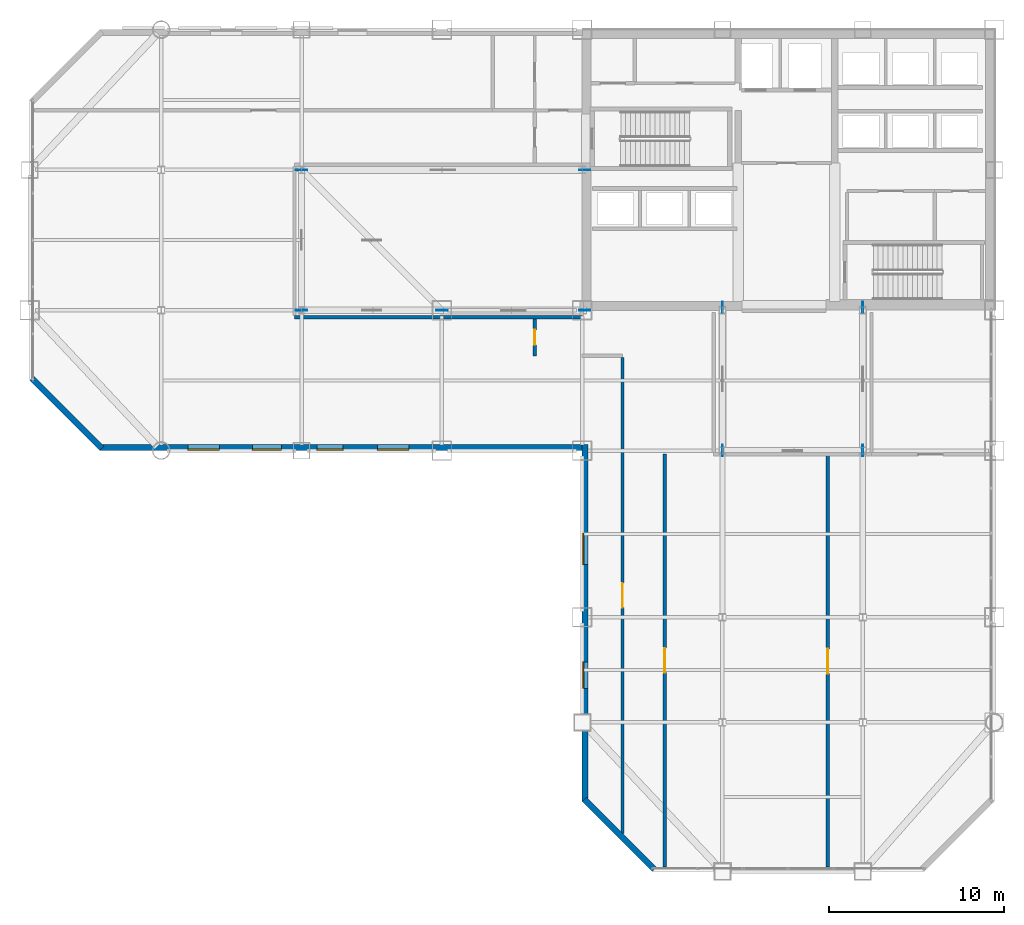
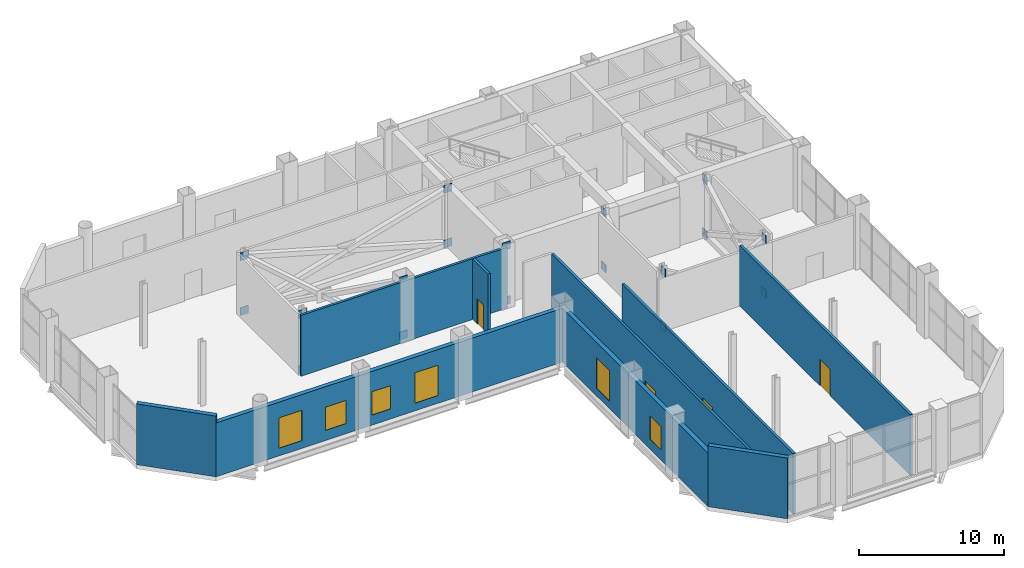
# One storey, part 20 of 24: 18 plates, 9 walls, 6 windows, 4 doors, 10 openings.
"""IFC4 building model written with IfcOpenShell, lengths in metres."""

from ifc_helpers import new_model, si_unit, direction, frame, frame_2d, origin, origin_2d, place, context, subcontext, project, spatial, rectangle, extrude, material, layer, layer_set, type_object, element, fill, save


model = new_model("IFC4")

# Units and contexts
model_context = context("Model", 3, precision=1e-05, world=origin(), true_north=direction((0.0, 1.0)))
body_context = subcontext(model_context, "Body", "Model", "MODEL_VIEW")
ifc_project = project(units=[si_unit("LENGTHUNIT", "METRE"), si_unit("AREAUNIT", "SQUARE_METRE"), si_unit("VOLUMEUNIT", "CUBIC_METRE"), si_unit("PLANEANGLEUNIT", "RADIAN"), si_unit("MASSUNIT", "GRAM", prefix="KILO")], contexts=[model_context])

# Site, building, storey
site_placement = place(None, origin())
site = spatial("IfcSite", under=ifc_project, at=site_placement, CompositionType="ELEMENT")
building_placement = place(site_placement, origin())
building = spatial("IfcBuilding", under=site, at=building_placement, Name="Qianrong Seaharbour Tower", CompositionType="ELEMENT")
storey_placement = place(building_placement, frame((0.0, 0.0, 195.0)))
storey = spatial("IfcBuildingStorey", under=building, at=storey_placement, Name="L47", CompositionType="ELEMENT", Elevation=195.0)

# Plates
ifc_material_1 = material(Name="Structural steel SN490B", Category="steel")
ifc_layer_1 = layer(ifc_material_1, 0.050048828125)
ifc_layer_set_1 = layer_set([ifc_layer_1], Name="Structural steel SN490B")
plate_type = type_object("IfcPlateType", Name="PLT-OUTRIGGER-GUSSET-50", PredefinedType="USERDEFINED", material=ifc_layer_set_1)
for number, where, z_axis, x_axis, name in (
    (1, (40.64990234375, 36.0, -0.074951171875), (0.0, 0.0, 1.0), (1.0, 0.0, 0.0), "L47 Brace End Gusset Node Plate GF-CB"),
    (2, (40.64990234375, 36.0, 4.525146484375), (0.0, 0.0, 1.0), (1.0, 0.0, 0.0), "L47 Brace End Gusset Node Plate GF-CT"),
    (3, (32.5, 36.0, -0.074951171875), (0.0, 0.0, 1.0), (1.0, 0.0, 0.0), "L47 Brace End Gusset Node Plate GF-OB"),
    (4, (32.5, 36.0, 4.525146484375), (0.0, 0.0, 1.0), (1.0, 0.0, 0.0), "L47 Brace End Gusset Node Plate GF-OT"),
    (5, (40.64990234375, 44.0, -0.074951171875), (0.0, 0.0, 1.0), (1.0, 0.0, 0.0), "L47 Brace End Gusset Node Plate GG-CB"),
    (6, (40.64990234375, 44.0, 4.525146484375), (0.0, 0.0, 1.0), (1.0, 0.0, 0.0), "L47 Brace End Gusset Node Plate GG-CT"),
    (7, (24.5, 44.0, -0.074951171875), (0.0, 0.0, 1.0), (1.0, 0.0, 0.0), "L47 Brace End Gusset Node Plate GG-OB"),
    (8, (24.5, 44.0, 4.525146484375), (0.0, 0.0, 1.0), (1.0, 0.0, 0.0), "L47 Brace End Gusset Node Plate GG-OT"),
):
    element("IfcPlate", number, at=place(storey_placement, frame(where, z_axis=z_axis, x_axis=x_axis)), inside=storey, type_object=plate_type, Name=name, ObjectType="GUSSET PLATE", PredefinedType="USERDEFINED", context=body_context, shape_type="SweptSolid", body=[
        extrude(rectangle(XDim=0.64990234375, YDim=0.050048828125, at=origin_2d()), origin(), (0.0, 0.0, 1.0), 0.64990234375),
    ])
for number, where, z_axis, x_axis, name in (
    (9, (48.5, 36.14990234375, -0.074951171875), (0.0, 0.0, 1.0), (1.0, 0.0, 0.0), "L47 Brace End Gusset Node Plate G7-CB"),
    (10, (48.5, 36.14990234375, 4.525146484375), (0.0, 0.0, 1.0), (1.0, 0.0, 0.0), "L47 Brace End Gusset Node Plate G7-CT"),
    (11, (48.5, 28.0, -0.074951171875), (0.0, 0.0, 1.0), (1.0, 0.0, 0.0), "L47 Brace End Gusset Node Plate G7-OB"),
    (12, (48.5, 28.0, 4.525146484375), (0.0, 0.0, 1.0), (1.0, 0.0, 0.0), "L47 Brace End Gusset Node Plate G7-OT"),
    (13, (56.5, 36.14990234375, -0.074951171875), (0.0, 0.0, 1.0), (1.0, 0.0, 0.0), "L47 Brace End Gusset Node Plate G8-CB"),
    (14, (56.5, 36.14990234375, 4.525146484375), (0.0, 0.0, 1.0), (1.0, 0.0, 0.0), "L47 Brace End Gusset Node Plate G8-CT"),
    (15, (56.5, 28.0, -0.074951171875), (0.0, 0.0, 1.0), (1.0, 0.0, 0.0), "L47 Brace End Gusset Node Plate G8-OB"),
    (16, (56.5, 28.0, 4.525146484375), (0.0, 0.0, 1.0), (1.0, 0.0, 0.0), "L47 Brace End Gusset Node Plate G8-OT"),
):
    element("IfcPlate", number, at=place(storey_placement, frame(where, z_axis=z_axis, x_axis=x_axis)), inside=storey, type_object=plate_type, Name=name, ObjectType="GUSSET PLATE", PredefinedType="USERDEFINED", context=body_context, shape_type="SweptSolid", body=[
        extrude(rectangle(XDim=0.050048828125, YDim=0.64990234375, at=origin_2d()), origin(), (0.0, 0.0, 1.0), 0.64990234375),
    ])
for number, where, z_axis, x_axis, name in (
    (17, (24.5, 36.0, -0.074951171875), (0.0, 0.0, 1.0), (1.0, 0.0, 0.0), "L47 Brace End Gusset Node Plate B1-A0"),
    (18, (24.5, 36.0, 4.525146484375), (0.0, 0.0, 1.0), (1.0, 0.0, 0.0), "L47 Brace End Gusset Node Plate B1-A1"),
):
    element("IfcPlate", number, at=place(storey_placement, frame(where, z_axis=z_axis, x_axis=x_axis)), inside=storey, type_object=plate_type, Name=name, ObjectType="GUSSET PLATE", PredefinedType="USERDEFINED", context=body_context, shape_type="SweptSolid", body=[
        extrude(rectangle(XDim=0.64990234375, YDim=0.050048828125, at=origin_2d()), origin(), (0.0, 0.0, 1.0), 0.64990234375),
    ])

# Wall, openings, windows
ifc_material_2 = material(Name="Unitised buff brick on Precast concrete C45/55", Category="masonry")
ifc_layer_2 = layer(ifc_material_2, 0.340087890625)
ifc_layer_set_2 = layer_set([ifc_layer_2], Name="Unitised buff brick on Precast concrete C45/55")
wall_type_1 = type_object("IfcWallType", Name="WALL-EXT-BRICK-BUFF-340", PredefinedType="SOLIDWALL", material=ifc_layer_set_2)
wall_1_placement = place(storey_placement, frame((40.669921875, 8.0, 0.0), z_axis=(0.0, 0.0, 1.0), x_axis=(0.0, 1.0, 0.0)))
wall_1 = element("IfcWall", 19, at=wall_1_placement, inside=storey, type_object=wall_type_1, Name="L47 Exterior Masonry Facade Wall REENTRANT_WEST", PredefinedType="SOLIDWALL", context=body_context, shape_type="SweptSolid", body=[
    extrude(rectangle(XDim=20.340087890625, YDim=0.340087890625, at=frame_2d((10.169921875, 0.0))), origin(), (0.0, 0.0, 1.0), 4.511962890625),
])
opening_1_placement = place(wall_1_placement, frame((6.449951171875, 0.0, 0.85009765625)))
opening_1 = element("IfcOpeningElement", 20, at=opening_1_placement, cuts=wall_1, Name="Opening WN-03", PredefinedType="OPENING", context=body_context, shape_type="SweptSolid", body=[
    extrude(rectangle(XDim=1.5, YDim=1.949951171875, at=frame_2d((0.75, 0.97509765625))), frame((0.0, 0.18017578125, 0.0), z_axis=(0.0, -1.0, 0.0), x_axis=(1.0, 0.0, 0.0)), (0.0, 0.0, 1.0), 0.360107421875),
])
opening_2_placement = place(wall_1_placement, frame((13.5, 0.0, 0.64990234375)))
opening_2 = element("IfcOpeningElement", 21, at=opening_2_placement, cuts=wall_1, Name="Opening WN-09", PredefinedType="OPENING", context=body_context, shape_type="SweptSolid", body=[
    extrude(rectangle(XDim=1.800048828125, YDim=2.550048828125, at=frame_2d((0.89990234375, 1.27490234375))), frame((0.0, 0.18017578125, 0.0), z_axis=(0.0, -1.0, 0.0), x_axis=(1.0, 0.0, 0.0)), (0.0, 0.0, 1.0), 0.360107421875),
])
ifc_material_3 = material(Name="Insulated low-e double glazing in thermally broken aluminium 6063-T6 frame", Category="aluminium")
window_type_1 = type_object("IfcWindowType", Name="WIN-PUNCH-1500x1950", PartitioningType="DOUBLE_PANEL_VERTICAL", PredefinedType="WINDOW", material=ifc_material_3)
window_1_placement = place(opening_1_placement, origin())
window_1 = element("IfcWindow", 22, at=window_1_placement, inside=storey, type_object=window_type_1, Name="L47 Deep-Set Punched Window 00.02", OverallHeight=1.949951171875, OverallWidth=1.5, PartitioningType="DOUBLE_PANEL_VERTICAL", PredefinedType="WINDOW", context=body_context, shape_type="SweptSolid", body=[
    extrude(rectangle(XDim=1.5, YDim=1.949951171875, at=frame_2d((0.75, 0.97509765625))), frame((0.0, 0.150146484375, 0.0), z_axis=(0.0, -1.0, 0.0), x_axis=(1.0, 0.0, 0.0)), (0.0, 0.0, 1.0), 0.06005859375),
])
fill(opening_1, window_1)
window_type_2 = type_object("IfcWindowType", Name="WIN-PUNCH-1800x2550", PartitioningType="TRIPLE_PANEL_VERTICAL", PredefinedType="WINDOW", material=ifc_material_3)
window_2_placement = place(opening_2_placement, origin())
window_2 = element("IfcWindow", 23, at=window_2_placement, inside=storey, type_object=window_type_2, Name="L47 Deep-Set Punched Window 00.04", OverallHeight=2.550048828125, OverallWidth=1.800048828125, PartitioningType="TRIPLE_PANEL_VERTICAL", PredefinedType="WINDOW", context=body_context, shape_type="SweptSolid", body=[
    extrude(rectangle(XDim=1.800048828125, YDim=2.550048828125, at=frame_2d((0.89990234375, 1.27490234375))), frame((0.0, 0.150146484375, 0.0), z_axis=(0.0, -1.0, 0.0), x_axis=(1.0, 0.0, 0.0)), (0.0, 0.0, 1.0), 0.06005859375),
])
fill(opening_2, window_2)

wall_2_placement = place(storey_placement, frame((40.52001953125, 28.169921875, 0.0), z_axis=(0.0, 0.0, 1.0), x_axis=(-1.0, 0.0, 0.0)))
wall_2 = element("IfcWall", 24, at=wall_2_placement, inside=storey, type_object=wall_type_1, Name="L47 Exterior Masonry Facade Wall HARBOUR_RIBBON", PredefinedType="SOLIDWALL", context=body_context, shape_type="SweptSolid", body=[
    extrude(rectangle(XDim=27.52001953125, YDim=0.340087890625, at=frame_2d((13.760009765625, 0.0))), origin(), (0.0, 0.0, 1.0), 4.511962890625),
])
opening_3_placement = place(wall_2_placement, frame((9.89990234375, 0.0, 0.64990234375)))
opening_3 = element("IfcOpeningElement", 25, at=opening_3_placement, cuts=wall_2, Name="Opening WN-09", PredefinedType="OPENING", context=body_context, shape_type="SweptSolid", body=[
    extrude(rectangle(XDim=1.800048828125, YDim=2.550048828125, at=frame_2d((0.89990234375, 1.27490234375))), frame((0.0, 0.18017578125, 0.0), z_axis=(0.0, -1.0, 0.0), x_axis=(1.0, 0.0, 0.0)), (0.0, 0.0, 1.0), 0.360107421875),
])
opening_4_placement = place(wall_2_placement, frame((13.64990234375, 0.0, 0.85009765625)))
opening_4 = element("IfcOpeningElement", 26, at=opening_4_placement, cuts=wall_2, Name="Opening WN-03", PredefinedType="OPENING", context=body_context, shape_type="SweptSolid", body=[
    extrude(rectangle(XDim=1.5, YDim=1.949951171875, at=frame_2d((0.75, 0.97509765625))), frame((0.0, 0.18017578125, 0.0), z_axis=(0.0, -1.0, 0.0), x_axis=(1.0, 0.0, 0.0)), (0.0, 0.0, 1.0), 0.360107421875),
])
opening_5_placement = place(wall_2_placement, frame((17.175048828125, 0.0, 0.85009765625)))
opening_5 = element("IfcOpeningElement", 27, at=opening_5_placement, cuts=wall_2, Name="Opening WN-04", PredefinedType="OPENING", context=body_context, shape_type="SweptSolid", body=[
    extrude(rectangle(XDim=1.64990234375, YDim=1.949951171875, at=frame_2d((0.824951171875, 0.97509765625))), frame((0.0, 0.18017578125, 0.0), z_axis=(0.0, -1.0, 0.0), x_axis=(1.0, 0.0, 0.0)), (0.0, 0.0, 1.0), 0.360107421875),
])
opening_6_placement = place(wall_2_placement, frame((20.699951171875, 0.0, 0.64990234375)))
opening_6 = element("IfcOpeningElement", 28, at=opening_6_placement, cuts=wall_2, Name="Opening WN-09", PredefinedType="OPENING", context=body_context, shape_type="SweptSolid", body=[
    extrude(rectangle(XDim=1.800048828125, YDim=2.550048828125, at=frame_2d((0.89990234375, 1.27490234375))), frame((0.0, 0.18017578125, 0.0), z_axis=(0.0, -1.0, 0.0), x_axis=(1.0, 0.0, 0.0)), (0.0, 0.0, 1.0), 0.360107421875),
])
window_3_placement = place(opening_4_placement, origin())
window_3 = element("IfcWindow", 29, at=window_3_placement, inside=storey, type_object=window_type_1, Name="L47 Deep-Set Punched Window 01.04", OverallHeight=1.949951171875, OverallWidth=1.5, PartitioningType="DOUBLE_PANEL_VERTICAL", PredefinedType="WINDOW", context=body_context, shape_type="SweptSolid", body=[
    extrude(rectangle(XDim=1.5, YDim=1.949951171875, at=frame_2d((0.75, 0.97509765625))), frame((0.0, 0.150146484375, 0.0), z_axis=(0.0, -1.0, 0.0), x_axis=(1.0, 0.0, 0.0)), (0.0, 0.0, 1.0), 0.06005859375),
])
fill(opening_4, window_3)
window_type_3 = type_object("IfcWindowType", Name="WIN-PUNCH-1650x1950", PartitioningType="DOUBLE_PANEL_VERTICAL", PredefinedType="WINDOW", material=ifc_material_3)
window_4_placement = place(opening_5_placement, origin())
window_4 = element("IfcWindow", 30, at=window_4_placement, inside=storey, type_object=window_type_3, Name="L47 Deep-Set Punched Window 01.05", OverallHeight=1.949951171875, OverallWidth=1.64990234375, PartitioningType="DOUBLE_PANEL_VERTICAL", PredefinedType="WINDOW", context=body_context, shape_type="SweptSolid", body=[
    extrude(rectangle(XDim=1.64990234375, YDim=1.949951171875, at=frame_2d((0.824951171875, 0.97509765625))), frame((0.0, 0.150146484375, 0.0), z_axis=(0.0, -1.0, 0.0), x_axis=(1.0, 0.0, 0.0)), (0.0, 0.0, 1.0), 0.06005859375),
])
fill(opening_5, window_4)
window_5_placement = place(opening_3_placement, origin())
window_5 = element("IfcWindow", 31, at=window_5_placement, inside=storey, type_object=window_type_2, Name="L47 Deep-Set Punched Window 01.03", OverallHeight=2.550048828125, OverallWidth=1.800048828125, PartitioningType="TRIPLE_PANEL_VERTICAL", PredefinedType="WINDOW", context=body_context, shape_type="SweptSolid", body=[
    extrude(rectangle(XDim=1.800048828125, YDim=2.550048828125, at=frame_2d((0.89990234375, 1.27490234375))), frame((0.0, 0.150146484375, 0.0), z_axis=(0.0, -1.0, 0.0), x_axis=(1.0, 0.0, 0.0)), (0.0, 0.0, 1.0), 0.06005859375),
])
fill(opening_3, window_5)
window_6_placement = place(opening_6_placement, origin())
window_6 = element("IfcWindow", 32, at=window_6_placement, inside=storey, type_object=window_type_2, Name="L47 Deep-Set Punched Window 01.06", OverallHeight=2.550048828125, OverallWidth=1.800048828125, PartitioningType="TRIPLE_PANEL_VERTICAL", PredefinedType="WINDOW", context=body_context, shape_type="SweptSolid", body=[
    extrude(rectangle(XDim=1.800048828125, YDim=2.550048828125, at=frame_2d((0.89990234375, 1.27490234375))), frame((0.0, 0.150146484375, 0.0), z_axis=(0.0, -1.0, 0.0), x_axis=(1.0, 0.0, 0.0)), (0.0, 0.0, 1.0), 0.06005859375),
])
fill(opening_6, window_6)

# Walls
for number, where, z_axis, x_axis, name in (
    (33, (13.1201171875, 28.1201171875, 0.0), (0.0, 0.0, 1.0), (-0.707106781187, 0.707106781187, 0.0), "L47 Exterior Masonry Facade Wall E02"),
    (34, (44.6201171875, 4.1201171875, 0.0), (0.0, 0.0, 1.0), (-0.707106781187, 0.707106781187, 0.0), "L47 Exterior Masonry Facade Wall E09"),
):
    element("IfcWall", number, at=place(storey_placement, frame(where, z_axis=z_axis, x_axis=x_axis)), inside=storey, type_object=wall_type_1, Name=name, PredefinedType="SOLIDWALL", context=body_context, shape_type="SweptSolid", body=[
        extrude(rectangle(XDim=5.65673828125, YDim=0.340087890625, at=frame_2d((2.828369140625, 0.0))), origin(), (0.0, 0.0, 1.0), 5.10009765625),
    ])
ifc_material_4 = material(Name="Double fire-rated gypsum board acoustic partition")
ifc_layer_3 = layer(ifc_material_4, 0.18994140625)
ifc_layer_set_3 = layer_set([ifc_layer_3], Name="Double fire-rated gypsum board acoustic partition")
wall_type_2 = type_object("IfcWallType", Name="WALL-FIRE-PART-190", PredefinedType="PARTITIONING", material=ifc_layer_set_3)
wall_3_placement = place(storey_placement, frame((40.47998046875, 35.60009765625, 0.0), z_axis=(0.0, 0.0, 1.0), x_axis=(-1.0, 0.0, 0.0)))
element("IfcWall", 35, at=wall_3_placement, inside=storey, type_object=wall_type_2, Name="L47 Outrigger Truss Zone Fire Enclosure Wall S", PredefinedType="PARTITIONING", context=body_context, shape_type="SweptSolid", body=[
    extrude(rectangle(XDim=16.3798828125, YDim=0.18994140625, at=frame_2d((8.18994140625, 0.0))), origin(), (0.0, 0.0, 1.0), 5.10009765625),
])

# Wall, opening, door
wall_4_placement = place(storey_placement, frame((37.800048828125, 35.512939453125, 0.0), z_axis=(0.0, 0.0, 1.0), x_axis=(0.0, -1.0, 0.0)))
wall_4 = element("IfcWall", 36, at=wall_4_placement, inside=storey, type_object=wall_type_2, Name="L47 Interior Partition Wall 014", PredefinedType="PARTITIONING", context=body_context, shape_type="SweptSolid", body=[
    extrude(rectangle(XDim=2.113037109375, YDim=0.18994140625, at=frame_2d((1.056640625, 0.0))), origin(), (0.0, 0.0, 1.0), 5.10009765625),
])
opening_7_placement = place(wall_4_placement, frame((0.62646484375, 0.0, 0.0)))
opening_7 = element("IfcOpeningElement", 37, at=opening_7_placement, cuts=wall_4, Name="Opening DU-01", PredefinedType="OPENING", context=body_context, shape_type="SweptSolid", body=[
    extrude(rectangle(XDim=0.860107421875, YDim=2.10009765625, at=frame_2d((0.43017578125, 1.050048828125))), frame((0.0, 0.10498046875, 0.0), z_axis=(0.0, -1.0, 0.0), x_axis=(1.0, 0.0, 0.0)), (0.0, 0.0, 1.0), 0.2099609375),
])
ifc_material_5 = material(Name="Acoustic timber and galvanized steel fire door assembly", Category="steel")
door_type_1 = type_object("IfcDoorType", Name="DOOR-UTIL-860x2100", OperationType="NOTDEFINED", PredefinedType="DOOR", material=ifc_material_5)
door_1_placement = place(opening_7_placement, origin())
door_1 = element("IfcDoor", 38, at=door_1_placement, inside=storey, type_object=door_type_1, Name="L47 Fire Refuge Area Door", OperationType="SINGLE_SWING_RIGHT", OverallHeight=2.10009765625, OverallWidth=0.860107421875, PredefinedType="DOOR", context=body_context, shape_type="SweptSolid", body=[
    extrude(rectangle(XDim=0.860107421875, YDim=2.10009765625, at=frame_2d((0.43017578125, 1.050048828125))), frame((0.0, 0.02490234375, 0.0), z_axis=(0.0, -1.0, 0.0), x_axis=(1.0, 0.0, 0.0)), (0.0, 0.0, 1.0), 0.050048828125),
])
fill(opening_7, door_1)

wall_5_placement = place(storey_placement, frame((45.199951171875, 27.800048828125, 0.0), z_axis=(0.0, 0.0, 1.0), x_axis=(0.0, -1.0, 0.0)))
wall_5 = element("IfcWall", 39, at=wall_5_placement, inside=storey, type_object=wall_type_2, Name="L47 Interior Partition Wall 017", PredefinedType="PARTITIONING", context=body_context, shape_type="SweptSolid", body=[
    extrude(rectangle(XDim=23.528076171875, YDim=0.18994140625, at=frame_2d((11.76416015625, 0.0))), origin(), (0.0, 0.0, 1.0), 5.10009765625),
])
opening_8_placement = place(wall_5_placement, frame((11.06396484375, 0.0, 0.0)))
opening_8 = element("IfcOpeningElement", 40, at=opening_8_placement, cuts=wall_5, Name="Opening DP-01", PredefinedType="OPENING", context=body_context, shape_type="SweptSolid", body=[
    extrude(rectangle(XDim=1.39990234375, YDim=2.25, at=frame_2d((0.699951171875, 1.125))), frame((0.0, 0.10498046875, 0.0), z_axis=(0.0, -1.0, 0.0), x_axis=(1.0, 0.0, 0.0)), (0.0, 0.0, 1.0), 0.2099609375),
])
door_type_2 = type_object("IfcDoorType", Name="DOOR-PLANT-PAIR-1400x2250", OperationType="DOUBLE_DOOR_SINGLE_SWING", PredefinedType="DOOR", material=ifc_material_5)
door_2_placement = place(opening_8_placement, origin())
door_2 = element("IfcDoor", 41, at=door_2_placement, inside=storey, type_object=door_type_2, Name="L47 Air Handling Fan Room Door", OperationType="DOUBLE_DOOR_SINGLE_SWING", OverallHeight=2.25, OverallWidth=1.39990234375, PredefinedType="DOOR", context=body_context, shape_type="SweptSolid", body=[
    extrude(rectangle(XDim=1.39990234375, YDim=2.25, at=frame_2d((0.699951171875, 1.125))), frame((0.0, 0.02490234375, 0.0), z_axis=(0.0, -1.0, 0.0), x_axis=(1.0, 0.0, 0.0)), (0.0, 0.0, 1.0), 0.050048828125),
])
fill(opening_8, door_2)

wall_6_placement = place(storey_placement, frame((42.800048828125, 6.16943359375, 0.0), z_axis=(0.0, 0.0, 1.0), x_axis=(0.0, 1.0, 0.0)))
wall_6 = element("IfcWall", 42, at=wall_6_placement, inside=storey, type_object=wall_type_2, Name="L47 Interior Partition Wall 018", PredefinedType="PARTITIONING", context=body_context, shape_type="SweptSolid", body=[
    extrude(rectangle(XDim=27.1435546875, YDim=0.18994140625, at=frame_2d((13.57177734375, 0.0))), origin(), (0.0, 0.0, 1.0), 5.10009765625),
])
opening_9_placement = place(wall_6_placement, frame((12.871826171875, 0.0, 0.0)))
opening_9 = element("IfcOpeningElement", 43, at=opening_9_placement, cuts=wall_6, Name="Opening DP-01", PredefinedType="OPENING", context=body_context, shape_type="SweptSolid", body=[
    extrude(rectangle(XDim=1.39990234375, YDim=2.25, at=frame_2d((0.699951171875, 1.125))), frame((0.0, 0.10498046875, 0.0), z_axis=(0.0, -1.0, 0.0), x_axis=(1.0, 0.0, 0.0)), (0.0, 0.0, 1.0), 0.2099609375),
])
door_3_placement = place(opening_9_placement, origin())
door_3 = element("IfcDoor", 44, at=door_3_placement, inside=storey, type_object=door_type_2, Name="L47 Electrical Substation Door", OperationType="DOUBLE_DOOR_SINGLE_SWING", OverallHeight=2.25, OverallWidth=1.39990234375, PredefinedType="DOOR", context=body_context, shape_type="SweptSolid", body=[
    extrude(rectangle(XDim=1.39990234375, YDim=2.25, at=frame_2d((0.699951171875, 1.125))), frame((0.0, 0.02490234375, 0.0), z_axis=(0.0, -1.0, 0.0), x_axis=(1.0, 0.0, 0.0)), (0.0, 0.0, 1.0), 0.050048828125),
])
fill(opening_9, door_3)

wall_7_placement = place(storey_placement, frame((54.5, 27.712890625, 0.0), z_axis=(0.0, 0.0, 1.0), x_axis=(0.0, -1.0, 0.0)))
wall_7 = element("IfcWall", 45, at=wall_7_placement, inside=storey, type_object=wall_type_2, Name="L47 Interior Partition Wall 019", PredefinedType="PARTITIONING", context=body_context, shape_type="SweptSolid", body=[
    extrude(rectangle(XDim=23.44091796875, YDim=0.18994140625, at=frame_2d((11.720458984375, 0.0))), origin(), (0.0, 0.0, 1.0), 5.10009765625),
])
opening_10_placement = place(wall_7_placement, frame((11.0205078125, 0.0, 0.0)))
opening_10 = element("IfcOpeningElement", 46, at=opening_10_placement, cuts=wall_7, Name="Opening DP-01", PredefinedType="OPENING", context=body_context, shape_type="SweptSolid", body=[
    extrude(rectangle(XDim=1.39990234375, YDim=2.25, at=frame_2d((0.699951171875, 1.125))), frame((0.0, 0.10498046875, 0.0), z_axis=(0.0, -1.0, 0.0), x_axis=(1.0, 0.0, 0.0)), (0.0, 0.0, 1.0), 0.2099609375),
])
door_4_placement = place(opening_10_placement, origin())
door_4 = element("IfcDoor", 47, at=door_4_placement, inside=storey, type_object=door_type_2, Name="L47 Fire Water Tank Room Door", OperationType="DOUBLE_DOOR_SINGLE_SWING", OverallHeight=2.25, OverallWidth=1.39990234375, PredefinedType="DOOR", context=body_context, shape_type="SweptSolid", body=[
    extrude(rectangle(XDim=1.39990234375, YDim=2.25, at=frame_2d((0.699951171875, 1.125))), frame((0.0, 0.02490234375, 0.0), z_axis=(0.0, -1.0, 0.0), x_axis=(1.0, 0.0, 0.0)), (0.0, 0.0, 1.0), 0.050048828125),
])
fill(opening_10, door_4)

save(model, "model.ifc")
